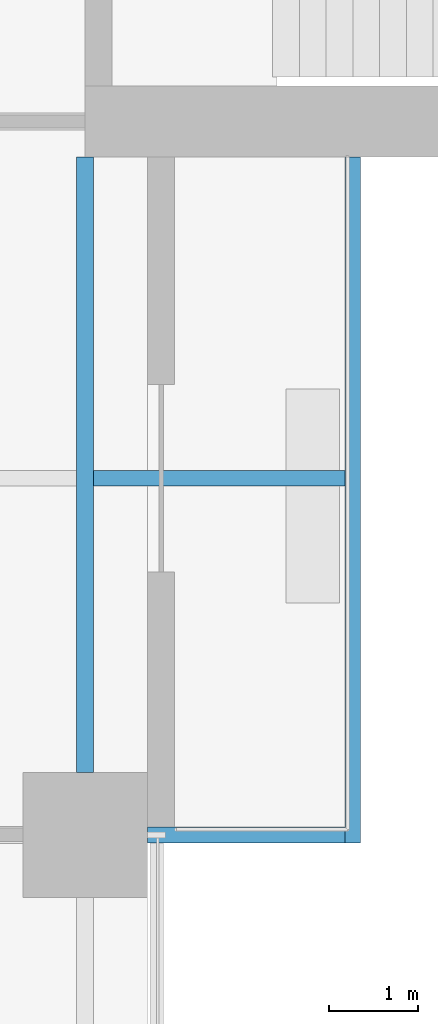
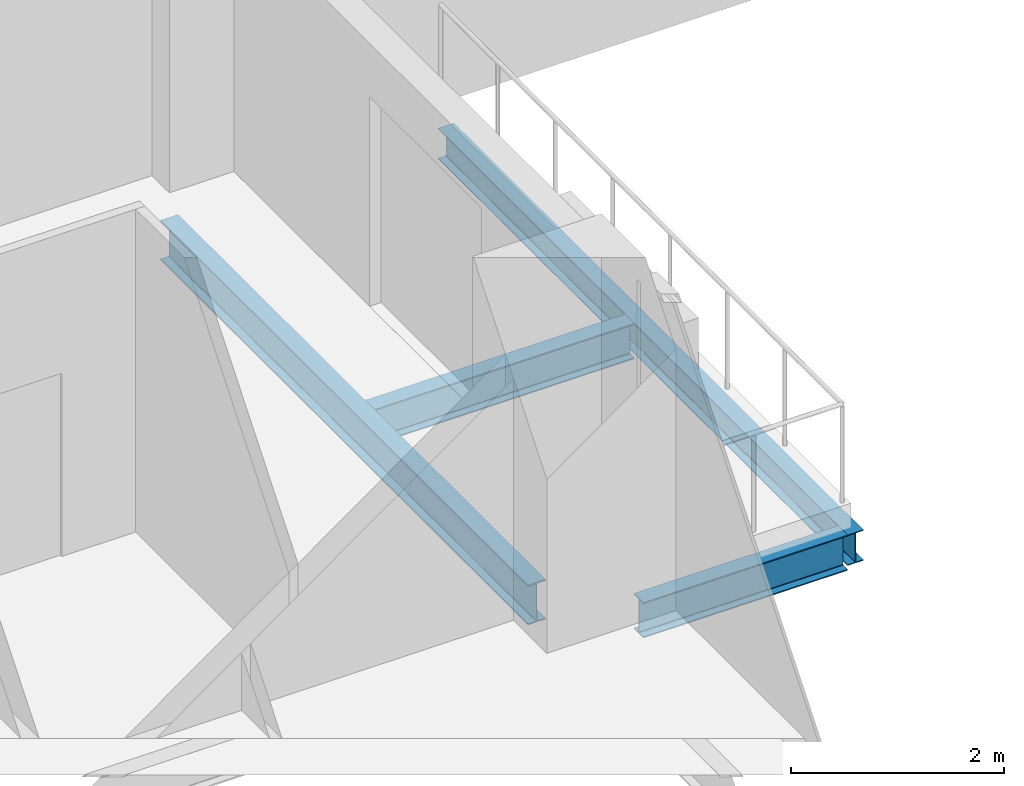
# One storey, part 5 of 27: 4 beams.
"""IFC4 building model written with IfcOpenShell, lengths in metres."""

from ifc_helpers import new_model, si_unit, direction, frame, origin, origin_2d, place, context, subcontext, project, spatial, i_section, extrude, material, material_profile, profile_set, type_object, element, save


model = new_model("IFC4")

# Units and contexts
model_context = context("Model", 3, precision=1e-05, world=origin(), true_north=direction((0.0, 1.0)))
body_context = subcontext(model_context, "Body", "Model", "MODEL_VIEW")
ifc_project = project(units=[si_unit("LENGTHUNIT", "METRE"), si_unit("AREAUNIT", "SQUARE_METRE"), si_unit("VOLUMEUNIT", "CUBIC_METRE"), si_unit("PLANEANGLEUNIT", "RADIAN"), si_unit("MASSUNIT", "GRAM", prefix="KILO")], contexts=[model_context])

# Site, building, storey
site_placement = place(None, origin())
site = spatial("IfcSite", under=ifc_project, at=site_placement, CompositionType="ELEMENT")
building_placement = place(site_placement, origin())
building = spatial("IfcBuilding", under=site, at=building_placement, Name="Crosswind Convention Tower", CompositionType="ELEMENT")
storey_placement = place(building_placement, frame((0.0, 0.0, 75.699951171875)))
storey = spatial("IfcBuildingStorey", under=building, at=storey_placement, Name="L13", CompositionType="ELEMENT", Elevation=75.699951171875)

# Beams
ifc_material = material(Name="Steel S355", Category="steel")
ifc_material_profile_1 = material_profile(ifc_material, i_section(OverallWidth=0.177734375, OverallDepth=0.406494140625, WebThickness=0.0078125, FlangeThickness=0.0126953125, FilletRadius=0.01025390625, at=origin_2d()), Name="UB 406x178x60")
ifc_profile_set_1 = profile_set([ifc_material_profile_1], Name="Steel S355")
beam_type_1 = type_object("IfcBeamType", Name="Balcony cantilever UB 406x178x60", PredefinedType="BEAM", material=ifc_profile_set_1)
beam_1_placement = place(storey_placement, frame((137.09521484375, 84.0, -0.483154296875), z_axis=(1.0, 0.0, 0.0), x_axis=(0.0, 1.0, 0.0)))
element("IfcBeam", 1, at=beam_1_placement, inside=storey, type_object=beam_type_1, Name="B35 L13 balcony cantilever SE 10", PredefinedType="BEAM", context=body_context, shape_type="SweptSolid", body=[
    extrude(i_section(OverallWidth=0.177734375, OverallDepth=0.406494140625, WebThickness=0.0078125, FlangeThickness=0.0126953125, FilletRadius=0.01025390625, at=origin_2d()), origin(), (0.0, 0.0, 1.0), 2.8193359375),
])
beam_2_placement = place(storey_placement, frame((137.699951171875, 80.0, -0.483154296875), z_axis=(1.0, 0.0, 0.0), x_axis=(0.0, 1.0, 0.0)))
element("IfcBeam", 2, at=beam_2_placement, inside=storey, type_object=beam_type_1, Name="B35 L13 balcony cantilever SE 11", PredefinedType="BEAM", context=body_context, shape_type="SweptSolid", body=[
    extrude(i_section(OverallWidth=0.177734375, OverallDepth=0.406494140625, WebThickness=0.0078125, FlangeThickness=0.0126953125, FilletRadius=0.01025390625, at=origin_2d()), origin(), (0.0, 0.0, 1.0), 2.214599609375),
])
ifc_material_profile_2 = material_profile(ifc_material, i_section(OverallWidth=0.1708984375, OverallDepth=0.35205078125, WebThickness=0.0068359375, FlangeThickness=0.009765625, FilletRadius=0.01025390625, at=origin_2d()), Name="UB 356x171x45")
ifc_profile_set_2 = profile_set([ifc_material_profile_2], Name="Steel S355")
beam_type_2 = type_object("IfcBeamType", Name="Balcony edge beam UB 356x171x45", PredefinedType="BEAM", material=ifc_profile_set_2)
beam_3_placement = place(storey_placement, frame((140.0, 87.60009765625, -0.4560546875), z_axis=(0.0, -1.0, 0.0), x_axis=(1.0, 0.0, 0.0)))
element("IfcBeam", 3, at=beam_3_placement, inside=storey, type_object=beam_type_2, Name="B37 L13 balcony edge beam SE 12", PredefinedType="BEAM", context=body_context, shape_type="SweptSolid", body=[
    extrude(i_section(OverallWidth=0.1708984375, OverallDepth=0.35205078125, WebThickness=0.0068359375, FlangeThickness=0.009765625, FilletRadius=0.01025390625, at=origin_2d()), origin(), (0.0, 0.0, 1.0), 7.68896484375),
])
ifc_material_profile_3 = material_profile(ifc_material, i_section(OverallWidth=0.1904296875, OverallDepth=0.457275390625, WebThickness=0.009033203125, FlangeThickness=0.014404296875, FilletRadius=0.01025390625, at=origin_2d()), Name="UB 457x191x75")
ifc_profile_set_3 = profile_set([ifc_material_profile_3], Name="Steel S355")
beam_type_3 = type_object("IfcBeamType", Name="Edge beam UB 457x191x75", PredefinedType="SPANDREL", material=ifc_profile_set_3)
beam_4_placement = place(storey_placement, frame((137.0, 80.699951171875, -0.508544921875), z_axis=(0.0, 1.0, 0.0), x_axis=(-1.0, 0.0, 0.0)))
element("IfcBeam", 4, at=beam_4_placement, inside=storey, type_object=beam_type_3, Name="B17 L13 edge beam 20", PredefinedType="SPANDREL", context=body_context, shape_type="SweptSolid", body=[
    extrude(i_section(OverallWidth=0.1904296875, OverallDepth=0.457275390625, WebThickness=0.009033203125, FlangeThickness=0.014404296875, FilletRadius=0.01025390625, at=origin_2d()), origin(), (0.0, 0.0, 1.0), 6.900146484375),
])

save(model, "model.ifc")
